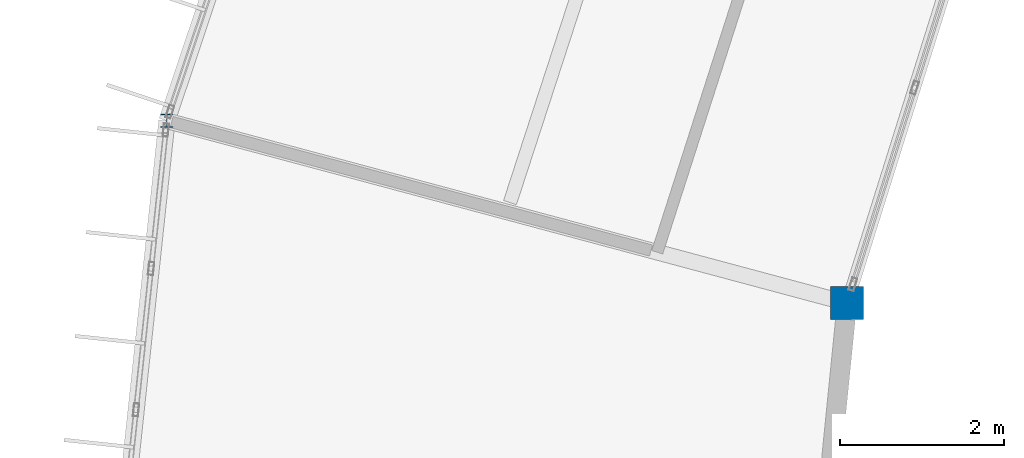
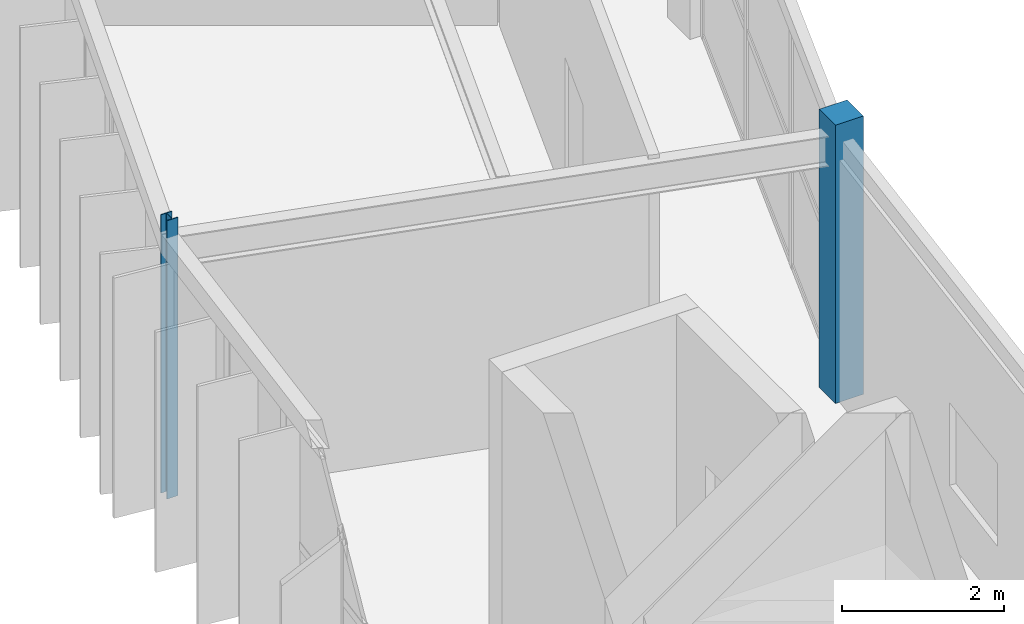
# One storey, part 7 of 130: 2 columns.
"""IFC4 building model written with IfcOpenShell, lengths in metres."""

from ifc_helpers import new_model, si_unit, direction, frame, origin, origin_2d, place, context, subcontext, project, spatial, rectangle, i_section, extrude, material, material_profile, profile_set, type_object, element, save


model = new_model("IFC4")

# Units and contexts
model_context = context("Model", 3, precision=1e-05, world=origin(), true_north=direction((0.0, 1.0)))
body_context = subcontext(model_context, "Body", "Model", "MODEL_VIEW")
ifc_project = project(units=[si_unit("LENGTHUNIT", "METRE"), si_unit("AREAUNIT", "SQUARE_METRE"), si_unit("VOLUMEUNIT", "CUBIC_METRE"), si_unit("PLANEANGLEUNIT", "RADIAN"), si_unit("MASSUNIT", "GRAM", prefix="KILO")], contexts=[model_context])

# Site, building, storey
site_placement = place(None, origin())
site = spatial("IfcSite", under=ifc_project, at=site_placement, CompositionType="ELEMENT")
building_placement = place(site_placement, origin())
building = spatial("IfcBuilding", under=site, at=building_placement, Name="Karori Crest Natural Sciences Institute", CompositionType="ELEMENT")
storey_placement = place(building_placement, frame((0.0, 0.0, 17.5)))
storey = spatial("IfcBuildingStorey", under=building, at=storey_placement, Name="L04", CompositionType="ELEMENT", Elevation=17.5)

# Columns
ifc_material_1 = material(Name="Structural steel AS/NZS 3679.1 Grade 350", Category="steel")
ifc_material_profile_1 = material_profile(ifc_material_1, i_section(OverallWidth=0.154052734375, OverallDepth=0.162109375, WebThickness=0.008056640625, FlangeThickness=0.011474609375, FilletRadius=0.009033203125, at=origin_2d()), Name="150UC37.2")
ifc_profile_set_1 = profile_set([ifc_material_profile_1], Name="Structural steel AS/NZS 3679.1 Grade 350")
column_type_1 = type_object("IfcColumnType", Name="CT-26", PredefinedType="COLUMN", material=ifc_profile_set_1)
column_1_placement = place(storey_placement, frame((34.5244140625, 60.459716796875, 0.0), z_axis=(0.0, 0.0, 1.0), x_axis=(1.0, 0.0, 0.0)))
element("IfcColumn", 1, at=column_1_placement, inside=storey, type_object=column_type_1, Name="Column C-0199", PredefinedType="COLUMN", context=body_context, shape_type="SweptSolid", body=[
    extrude(i_section(OverallWidth=0.154052734375, OverallDepth=0.162109375, WebThickness=0.008056640625, FlangeThickness=0.011474609375, FilletRadius=0.009033203125, at=origin_2d()), origin(), (0.0, 0.0, 1.0), 4.199951171875),
])
ifc_material_2 = material(Name="Concrete 50 MPa", Category="concrete")
ifc_material_profile_2 = material_profile(ifc_material_2, rectangle(XDim=0.39990234375, YDim=0.39990234375, at=origin_2d()), Name="RC400x400")
ifc_profile_set_2 = profile_set([ifc_material_profile_2], Name="Concrete 50 MPa")
column_type_2 = type_object("IfcColumnType", Name="CT-31", PredefinedType="PILASTER", material=ifc_profile_set_2)
column_2_placement = place(storey_placement, frame((42.831298828125, 58.23388671875, 0.0), z_axis=(0.0, 0.0, 1.0), x_axis=(1.0, 0.0, 0.0)))
element("IfcColumn", 2, at=column_2_placement, inside=storey, type_object=column_type_2, Name="Column C-0200", PredefinedType="PILASTER", context=body_context, shape_type="SweptSolid", body=[
    extrude(rectangle(XDim=0.39990234375, YDim=0.39990234375, at=origin_2d()), origin(), (0.0, 0.0, 1.0), 4.199951171875),
])

save(model, "model.ifc")
